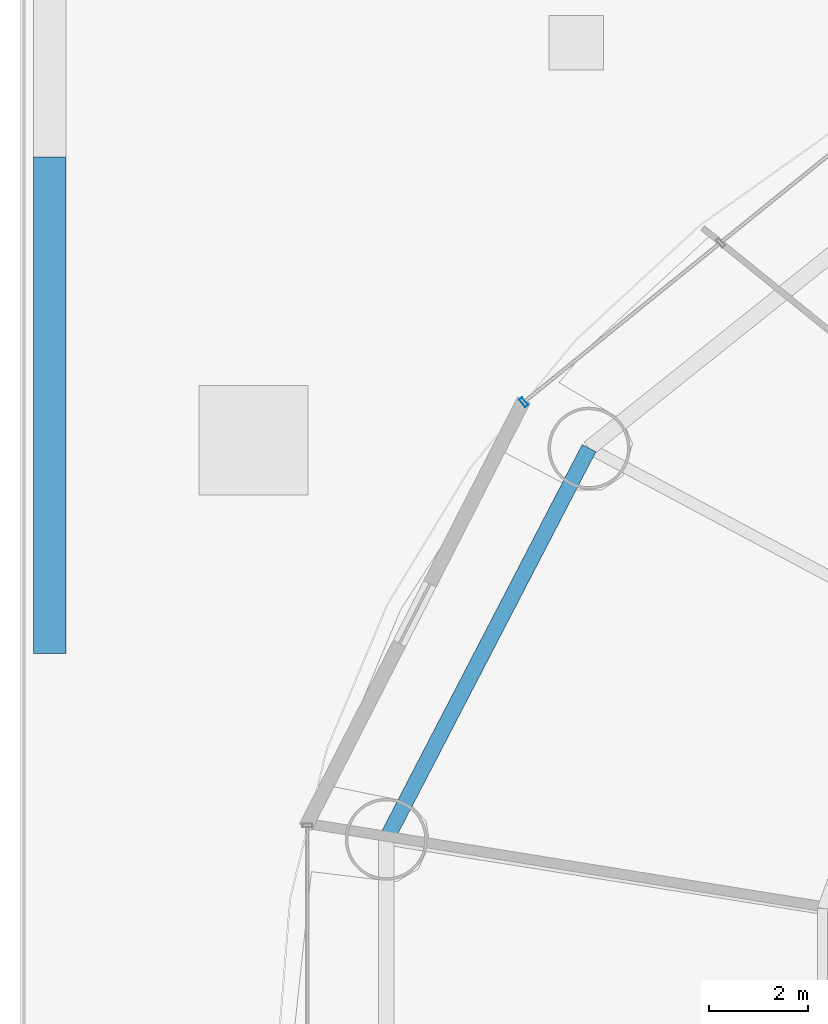
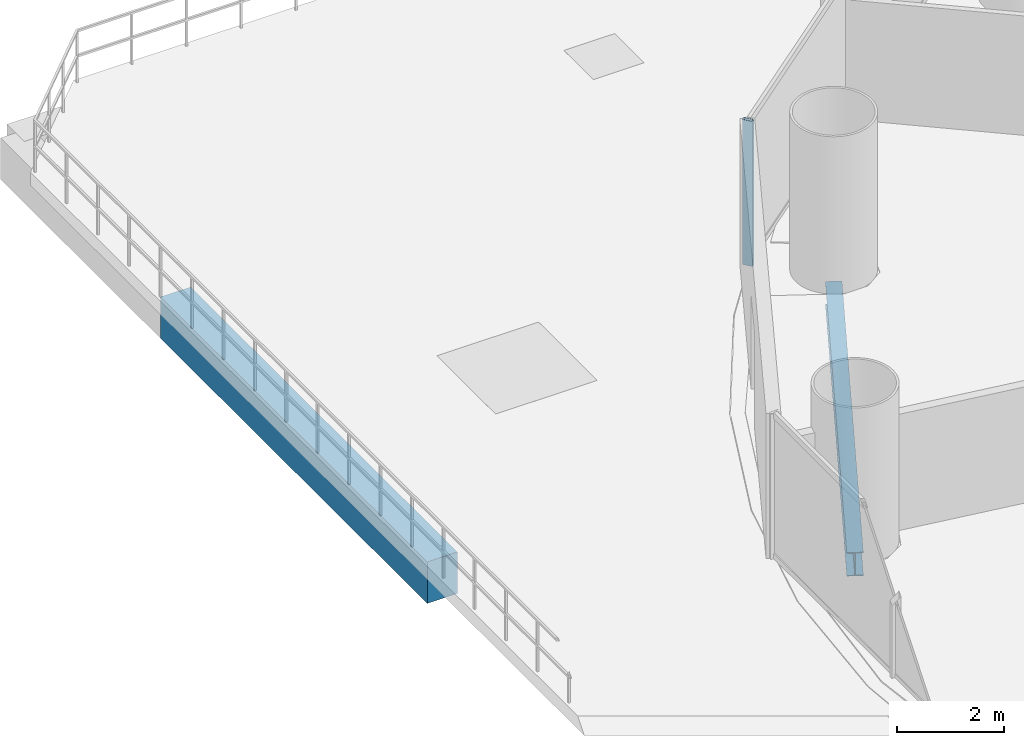
# One storey, part 20 of 37: 2 beams, 1 member, 1 element without a shape of its own.
"""IFC4 building model written with IfcOpenShell, lengths in metres."""

from ifc_helpers import new_model, si_unit, direction, frame, origin, origin_2d, place, context, subcontext, project, spatial, rectangle, hollow_rectangle, i_section, extrude, source, transform, mapped, material, material_profile, profile_set, type_object, element, aggregate, save


model = new_model("IFC4")

# Units and contexts
model_context = context("Model", 3, precision=1e-05, world=origin(), true_north=direction((-0.2419218956, 0.970295726276)))
body_context = subcontext(model_context, "Body", "Model", "MODEL_VIEW")
ifc_project = project(units=[si_unit("LENGTHUNIT", "METRE"), si_unit("AREAUNIT", "SQUARE_METRE"), si_unit("VOLUMEUNIT", "CUBIC_METRE"), si_unit("PLANEANGLEUNIT", "RADIAN"), si_unit("MASSUNIT", "GRAM", prefix="KILO")], contexts=[model_context])

# Site, building, storey
site_placement = place(None, origin())
site = spatial("IfcSite", under=ifc_project, at=site_placement, CompositionType="ELEMENT")
building_placement = place(site_placement, origin())
building = spatial("IfcBuilding", under=site, at=building_placement, Name="Cobrevalo Terracotta Tower", CompositionType="ELEMENT")
storey_placement = place(building_placement, frame((0.0, 0.0, 24.0)))
storey = spatial("IfcBuildingStorey", under=building, at=storey_placement, Name="L05", CompositionType="ELEMENT", Elevation=24.0)

# Beams
ifc_material_1 = material(Name="Concrete C50", Category="concrete")
ifc_material_profile_1 = material_profile(ifc_material_1, rectangle(XDim=0.64990234375, YDim=0.949951171875, at=origin_2d()), Name="RC BM 650x950")
ifc_profile_set_1 = profile_set([ifc_material_profile_1], Name="Concrete C50")
beam_type_1 = type_object("IfcBeamType", Name="Structural Spandrel RC BM 650x950 (Concrete C50)", PredefinedType="SPANDREL", material=ifc_profile_set_1)
beam_1_placement = place(storey_placement, frame((4.39990234375, 34.800048828125, -0.7548828125), z_axis=(0.0, 1.0, 0.0), x_axis=(-1.0, 0.0, 0.0)))
element("IfcBeam", 1, at=beam_1_placement, inside=storey, type_object=beam_type_1, Name="L05 podium grid beam G1-GE to G1-GF", PredefinedType="SPANDREL", context=body_context, shape_type="SweptSolid", body=[
    extrude(rectangle(XDim=0.64990234375, YDim=0.949951171875, at=origin_2d()), origin(), (0.0, 0.0, 1.0), 10.0),
])
ifc_material_2 = material(Name="Steel S355", Category="steel")
ifc_material_profile_2 = material_profile(ifc_material_2, i_section(OverallWidth=0.31201171875, OverallDepth=0.54296875, WebThickness=0.0126953125, FlangeThickness=0.020263671875, at=origin_2d()), Name="W 530x150")
ifc_profile_set_2 = profile_set([ifc_material_profile_2], Name="Steel S355")
beam_type_2 = type_object("IfcBeamType", Name="Structural Spandrel W 530x150 (Steel S355)", PredefinedType="SPANDREL", material=ifc_profile_set_2)
beam_2_placement = place(storey_placement, frame((15.25927734375, 38.939208984375, -0.551513671875), z_axis=(-0.460285838799, -0.88777077368, 0.0), x_axis=(0.88777077368, -0.460285838799, 0.0)))
element("IfcBeam", 2, at=beam_2_placement, inside=storey, type_object=beam_type_2, Name="L05 perimeter ring spandrel 07", PredefinedType="SPANDREL", context=body_context, shape_type="SweptSolid", body=[
    extrude(i_section(OverallWidth=0.31201171875, OverallDepth=0.54296875, WebThickness=0.0126953125, FlangeThickness=0.020263671875, at=origin_2d()), origin(), (0.0, 0.0, 1.0), 8.8720703125),
])

# Curtain wall, member
ifc_material_3 = material(Name="Anodized aluminium", Category="aluminium")
curtain_wall_type = type_object("IfcCurtainWallType", Name="Lower-tower unitised acoustic low-E curtain wall CW-U1", PredefinedType="NOTDEFINED", material=ifc_material_3)
curtain_wall_placement = place(storey_placement, origin())
curtain_wall = element("IfcCurtainWall", 3, at=curtain_wall_placement, inside=storey, type_object=curtain_wall_type, Name="L05 curtain wall CW-L05-S06", PredefinedType="NOTDEFINED")
ifc_material_profile_3 = material_profile(ifc_material_3, hollow_rectangle(XDim=0.074951171875, YDim=0.199951171875, WallThickness=0.0048828125, at=origin_2d()), Name="CWM 75x200")
ifc_profile_set_3 = profile_set([ifc_material_profile_3], Name="Anodized aluminium")
member_type = type_object("IfcMemberType", Name="Lower/mid tower unitised mullion 75x200", PredefinedType="MULLION", material=ifc_profile_set_3)
shared_shape = source(origin(), body_context, "Body", "SweptSolid", [
    extrude(hollow_rectangle(XDim=0.074951171875, YDim=0.199951171875, WallThickness=0.0048828125, at=origin_2d()), origin(), (0.0, 0.0, 1.0), 3.320068359375),
])
member_placement = place(storey_placement, frame((13.943359375, 39.864501953125, 0.0), z_axis=(0.0, 0.0, 1.0), x_axis=(-0.777003153187, -0.629496703675, 0.0)))
member = element("IfcMember", 4, at=member_placement, type_object=member_type, Name="CW-L05-S06 vertical mullion 03", PredefinedType="MULLION", context=body_context, shape_type="MappedRepresentation", body=[
    mapped(shared_shape, transform((0.0, 0.0, 0.0), scale=1.0)),
])
aggregate(curtain_wall, [member])

save(model, "model.ifc")
